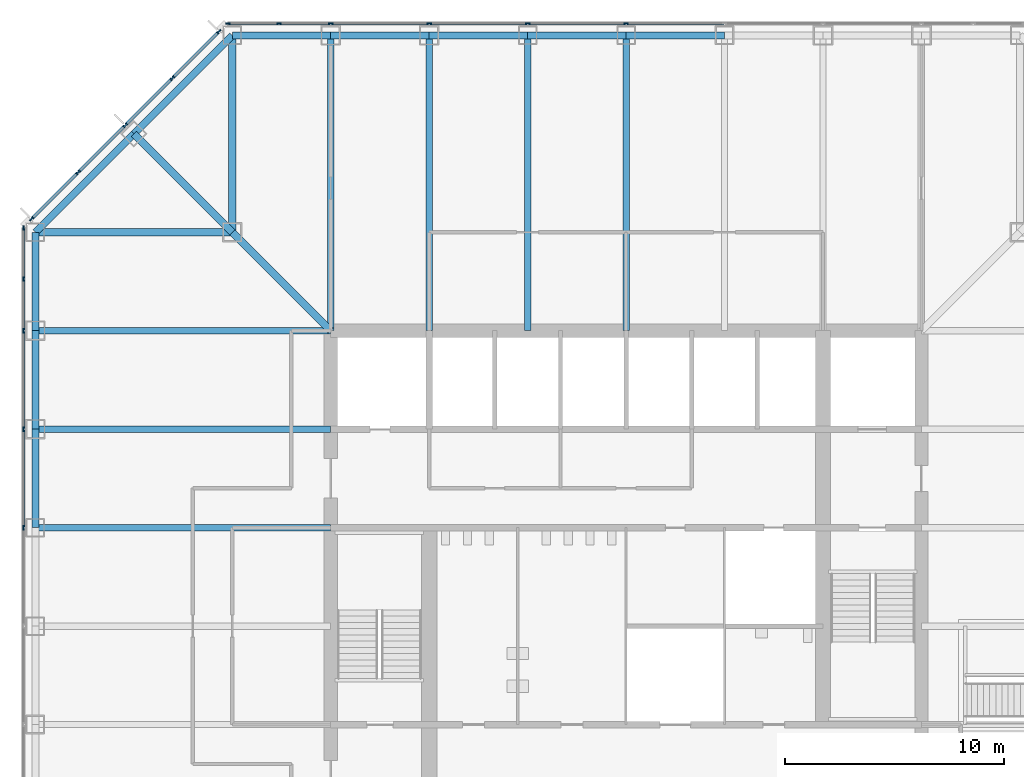
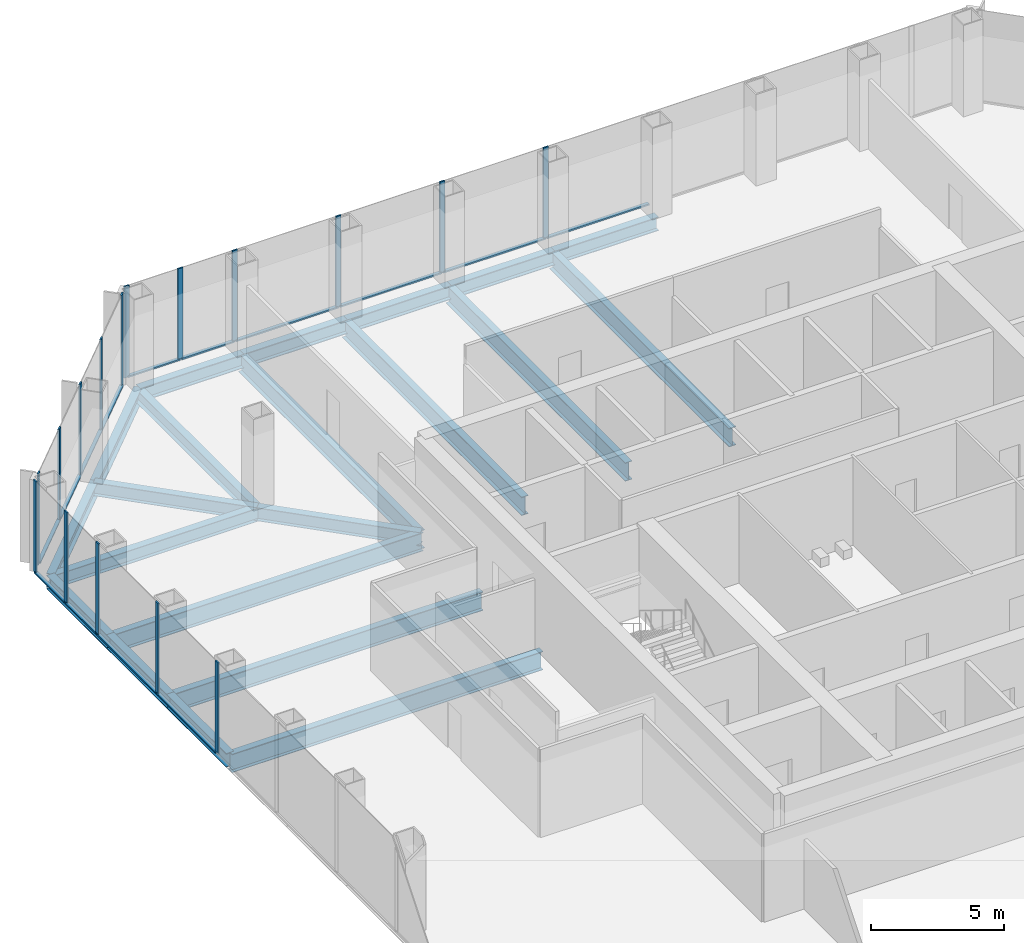
# One storey, part 5 of 12: 30 members, 21 beams, 3 elements without a shape of their own.
"""IFC4 building model written with IfcOpenShell, lengths in metres."""

import ifcopenshell
import ifcopenshell.guid

model = None  # the IFC model being written
_history = None  # IfcOwnerHistory: only IFC2X3 demands one
_inside = {}  # id of a spatial element -> (the spatial element, [elements in it])
_under = {}  # id of a project, library or spatial element -> (it, [spatial elements below it])
_declared = {}  # id of a project -> (the project, [libraries it declares])
_typed = {}  # id of a type object -> (the type object, [elements of that type])
_made_of = {}  # id of a material, layer set ... -> (it, [elements and type objects made of it])


def new_model(schema):
    """Start an empty IFC model of exactly this schema.

    Asked for "IFC4X3", IfcOpenShell would pick the latest addendum, in which some entities
    have other attributes; the version numbers below select the first issue.
    IFC2X3 requires an IfcOwnerHistory on every rooted entity: one is made here for all.
    """
    global model, _history
    if schema == "IFC4X3":
        model = ifcopenshell.file(schema_version=(4, 3, 0, 0))
    else:
        model = ifcopenshell.file(schema=schema)
    _inside.clear()
    _under.clear()
    _declared.clear()
    _typed.clear()
    _made_of.clear()
    _history = None
    if model.schema == "IFC2X3":
        org = make("IfcOrganization", Name="unknown")
        user = make(
            "IfcPersonAndOrganization",
            ThePerson=make("IfcPerson", FamilyName="unknown"),
            TheOrganization=org,
        )
        app = make(
            "IfcApplication",
            ApplicationDeveloper=org,
            Version="unknown",
            ApplicationFullName="unknown",
            ApplicationIdentifier="unknown",
        )
        _history = make(
            "IfcOwnerHistory",
            OwningUser=user,
            OwningApplication=app,
            ChangeAction="ADDED",
            CreationDate=0,
        )
    return model


def make(cls, **values):
    """One entity of the class cls with the attributes given. An attribute that is None is left unset."""
    return model.create_entity(
        cls, **{name: value for name, value in values.items() if value is not None}
    )


def rooted(cls, **values):
    """An entity with a GlobalId (a new one), such as an element, a storey or a relation."""
    return make(cls, GlobalId=ifcopenshell.guid.new(), OwnerHistory=_history, **values)


def si_unit(unit_type, name, prefix=None):
    """IfcSIUnit, for example si_unit("LENGTHUNIT", "METRE", prefix="MILLI")."""
    return make("IfcSIUnit", UnitType=unit_type, Prefix=prefix, Name=name)


def assignment(units):
    """IfcUnitAssignment: the units of a project."""
    return None if units is None else make("IfcUnitAssignment", Units=units)


def point(xyz):
    """IfcCartesianPoint."""
    return None if xyz is None else make("IfcCartesianPoint", Coordinates=xyz)


def direction(xyz):
    """IfcDirection."""
    return None if xyz is None else make("IfcDirection", DirectionRatios=xyz)


def frame(location, z_axis=None, x_axis=None):
    """IfcAxis2Placement3D, a coordinate frame: its origin and axes. An axis left out is left unset."""
    return make(
        "IfcAxis2Placement3D",
        Location=point(location),
        Axis=direction(z_axis),
        RefDirection=direction(x_axis),
    )


def frame_2d(location, x_axis=None):
    """IfcAxis2Placement2D, a coordinate frame in the plane: its origin and x axis."""
    return make(
        "IfcAxis2Placement2D", Location=point(location), RefDirection=direction(x_axis)
    )


def origin():
    """The frame at (0, 0, 0) with its axes left unset."""
    return frame((0.0, 0.0, 0.0))


def origin_2d():
    """The frame at (0, 0) in the plane with its x axis left unset."""
    return frame_2d((0.0, 0.0))


def place(relative_to, where):
    """IfcLocalPlacement: puts the frame where relative to a parent placement (None: the world)."""
    return make(
        "IfcLocalPlacement", PlacementRelTo=relative_to, RelativePlacement=where
    )


def context(
    kind, dimensions, precision=None, world=None, true_north=None, identifier=None
):
    """IfcGeometricRepresentationContext, for example the 3D "Model" context."""
    return make(
        "IfcGeometricRepresentationContext",
        ContextIdentifier=identifier,
        ContextType=kind,
        CoordinateSpaceDimension=dimensions,
        Precision=precision,
        WorldCoordinateSystem=world,
        TrueNorth=true_north,
    )


def subcontext(parent, identifier, kind, view, scale=None):
    """IfcGeometricRepresentationSubContext, for example "Body" below "Model"."""
    return make(
        "IfcGeometricRepresentationSubContext",
        ContextIdentifier=identifier,
        ContextType=kind,
        ParentContext=parent,
        TargetScale=scale,
        TargetView=view,
    )


def project(units=None, contexts=None):
    """IfcProject with its units and contexts."""
    return rooted(
        "IfcProject",
        Name="project",
        RepresentationContexts=contexts,
        UnitsInContext=assignment(units),
    )


def spatial(cls, under=None, at=None, **own):
    """A site, building, storey or space (cls), placed at a placement, below another one or the project."""
    s = rooted(cls, ObjectPlacement=at, **own)
    if under is not None:
        _under.setdefault(under.id(), (under, []))[1].append(s)
    return s


def profile(cls, at=None, kind="AREA", **sizes):
    """A parametric profile (cls). Its sizes go by their IFC names, for example OverallWidth=200.0."""
    return make(cls, ProfileType=kind, Position=at, **sizes)


def rectangle(**sizes):
    """IfcRectangleProfileDef."""
    return profile("IfcRectangleProfileDef", **sizes)


def i_section(**sizes):
    """IfcIShapeProfileDef."""
    return profile("IfcIShapeProfileDef", **sizes)


def extrude(swept, where, along, depth):
    """IfcExtrudedAreaSolid: the profile swept, set in the frame where, extruded along a direction by depth."""
    return make(
        "IfcExtrudedAreaSolid",
        SweptArea=swept,
        Position=where,
        ExtrudedDirection=direction(along),
        Depth=depth,
    )


def shape(context_of_items, identifier, shape_type, items):
    """IfcShapeRepresentation: the items that make up one representation, for example the "Body"."""
    return make(
        "IfcShapeRepresentation",
        ContextOfItems=context_of_items,
        RepresentationIdentifier=identifier,
        RepresentationType=shape_type,
        Items=items,
    )


def material(Name=None, Category=None):
    """IfcMaterial."""
    return make("IfcMaterial", Name=Name, Category=Category)


def material_profile(
    of_material, cross_section, Name=None, Category=None, Priority=None
):
    """IfcMaterialProfile: a cross section and its material."""
    return make(
        "IfcMaterialProfile",
        Name=Name,
        Material=of_material,
        Profile=cross_section,
        Priority=Priority,
        Category=Category,
    )


def profile_set(profiles, Name=None, composite=None):
    """IfcMaterialProfileSet."""
    return make(
        "IfcMaterialProfileSet",
        Name=Name,
        MaterialProfiles=profiles,
        CompositeProfile=composite,
    )


def made_of(thing, what):
    """Note that an element or type object is made of a material, layer set ...; save() writes the relation."""
    if what is not None:
        _made_of.setdefault(what.id(), (what, []))[1].append(thing)
    return thing


def type_object(cls, material=None, **own):
    """A type object (cls), such as IfcWallType, which elements share."""
    return made_of(rooted(cls, **own), material)


def element(
    cls,
    number,
    at=None,
    inside=None,
    cuts=None,
    type_object=None,
    material=None,
    context=None,
    identifier="Body",
    shape_type=None,
    held_by="IfcProductDefinitionShape",
    body=None,
    shapes=None,
    **own,
):
    """One element of the class cls, such as IfcWall. Its Tag is "e" and its number.

    at: its placement. inside: the storey or other place that contains it. cuts: it is an
    opening in that element (IfcRelVoidsElement). A single representation is given by context,
    identifier, shape_type and body (its items); several are given by shapes. held_by: the class
    of the entity that holds the representations. save() writes the other relations.
    """
    e = rooted(cls, Tag="e%d" % number, ObjectPlacement=at, **own)
    if body is not None:
        shapes = [shape(context, identifier, shape_type, body)]
    if shapes is not None:
        e.Representation = make(held_by, Representations=shapes)
    if inside is not None:
        _inside.setdefault(inside.id(), (inside, []))[1].append(e)
    if cuts is not None:
        rooted(
            "IfcRelVoidsElement", RelatingBuildingElement=cuts, RelatedOpeningElement=e
        )
    if type_object is not None:
        _typed.setdefault(type_object.id(), (type_object, []))[1].append(e)
    return made_of(e, material)


def aggregate(whole, parts):
    """IfcRelAggregates: a whole, such as a stair, and the parts it consists of."""
    return rooted("IfcRelAggregates", RelatingObject=whole, RelatedObjects=parts)


def save(model, path):
    """Write the relations noted so far, then the file.

    IfcRelAggregates (storeys below a building ...), IfcRelContainedInSpatialStructure (elements
    in a storey), IfcRelDefinesByType, IfcRelAssociatesMaterial and IfcRelDeclares: one each for
    every whole, place, type object, material and project.
    """
    for whole, parts in _under.values():
        aggregate(whole, parts)
    for where, things in _inside.values():
        rooted(
            "IfcRelContainedInSpatialStructure",
            RelatedElements=things,
            RelatingStructure=where,
        )
    for kind, things in _typed.values():
        rooted("IfcRelDefinesByType", RelatedObjects=things, RelatingType=kind)
    for what, things in _made_of.values():
        rooted("IfcRelAssociatesMaterial", RelatedObjects=things, RelatingMaterial=what)
    for by, libraries in _declared.values():
        rooted("IfcRelDeclares", RelatingContext=by, RelatedDefinitions=libraries)
    model.write(path)


model = new_model("IFC4")

# Units and contexts
model_context = context("Model", 3, precision=1e-05, world=origin(), true_north=direction((0.0, 1.0)))
body_context = subcontext(model_context, "Body", "Model", "MODEL_VIEW")
ifc_project = project(units=[si_unit("LENGTHUNIT", "METRE"), si_unit("AREAUNIT", "SQUARE_METRE"), si_unit("VOLUMEUNIT", "CUBIC_METRE"), si_unit("PLANEANGLEUNIT", "RADIAN"), si_unit("MASSUNIT", "GRAM", prefix="KILO")], contexts=[model_context])

# Site, building, storey
site_placement = place(None, origin())
site = spatial("IfcSite", under=ifc_project, at=site_placement, CompositionType="ELEMENT")
building_placement = place(site_placement, origin())
building = spatial("IfcBuilding", under=site, at=building_placement, Name="Corais Broadcast Tower", CompositionType="ELEMENT")
storey_placement = place(building_placement, frame((0.0, 0.0, 37.39990234375)))
storey = spatial("IfcBuildingStorey", under=building, at=storey_placement, Name="L07", CompositionType="ELEMENT", Elevation=37.39990234375)

# Beams
ifc_material_1 = material(Name="Steel ASTM A572 Grade 50", Category="steel")
ifc_material_profile_1 = material_profile(ifc_material_1, i_section(OverallWidth=0.323974609375, OverallDepth=0.611083984375, WebThickness=0.0126953125, FlangeThickness=0.01904296875, at=origin_2d()), Name="W610x155")
ifc_profile_set_1 = profile_set([ifc_material_profile_1], Name="Steel ASTM A572 Grade 50")
beam_type_1 = type_object("IfcBeamType", Name="Chamfer tie W610x155", PredefinedType="BEAM", material=ifc_profile_set_1)
beam_1_placement = place(storey_placement, frame((4.5, 49.5, -0.46533203125), z_axis=(0.707106781187, -0.707106781187, 0.0), x_axis=(0.707106781187, 0.707106781187, 0.0)))
element("IfcBeam", 1, at=beam_1_placement, inside=storey, type_object=beam_type_1, Name="B5 M/4 to L/5", PredefinedType="BEAM", context=body_context, shape_type="SweptSolid", body=[
    extrude(i_section(OverallWidth=0.323974609375, OverallDepth=0.611083984375, WebThickness=0.0126953125, FlangeThickness=0.01904296875, at=origin_2d()), origin(), (0.0, 0.0, 1.0), 6.364013671875),
])
ifc_material_2 = material(Name="Steel ASTM A572 Grade 50", Category="steel")
ifc_material_profile_2 = material_profile(ifc_material_2, i_section(OverallWidth=0.323974609375, OverallDepth=0.611083984375, WebThickness=0.0126953125, FlangeThickness=0.01904296875, at=origin_2d()), Name="W610x155")
ifc_profile_set_2 = profile_set([ifc_material_profile_2], Name="Steel ASTM A572 Grade 50")
beam_type_2 = type_object("IfcBeamType", Name="Corner diagonal W610x155", PredefinedType="BEAM", material=ifc_profile_set_2)
beam_2_placement = place(storey_placement, frame((9.0, 45.0, -0.46533203125), z_axis=(0.707106781187, -0.707106781187, 0.0), x_axis=(0.707106781187, 0.707106781187, 0.0)))
element("IfcBeam", 2, at=beam_2_placement, inside=storey, type_object=beam_type_2, Name="B6 L/5 to K/6", PredefinedType="BEAM", context=body_context, shape_type="SweptSolid", body=[
    extrude(i_section(OverallWidth=0.323974609375, OverallDepth=0.611083984375, WebThickness=0.0126953125, FlangeThickness=0.01904296875, at=origin_2d()), origin(), (0.0, 0.0, 1.0), 6.364013671875),
])
ifc_material_3 = material(Name="Steel ASTM A572 Grade 50", Category="steel")
ifc_material_profile_3 = material_profile(ifc_material_3, i_section(OverallWidth=0.323974609375, OverallDepth=0.611083984375, WebThickness=0.0126953125, FlangeThickness=0.01904296875, at=origin_2d()), Name="W610x155")
ifc_profile_set_3 = profile_set([ifc_material_profile_3], Name="Steel ASTM A572 Grade 50")
beam_type_3 = type_object("IfcBeamType", Name="Corner girder W610x155", PredefinedType="BEAM", material=ifc_profile_set_3)
for number, where, z_axis, x_axis, name in (
    (3, (0.0, 45.0, -0.46533203125), (1.0, 0.0, 0.0), (0.0, 1.0, 0.0), "B4 L/3 to L/5"),
    (4, (9.0, 54.0, -0.46533203125), (0.0, -1.0, 0.0), (1.0, 0.0, 0.0), "B4 N/5 to L/5"),
):
    element("IfcBeam", number, at=place(storey_placement, frame(where, z_axis=z_axis, x_axis=x_axis)), inside=storey, type_object=beam_type_3, Name=name, PredefinedType="BEAM", context=body_context, shape_type="SweptSolid", body=[
        extrude(i_section(OverallWidth=0.323974609375, OverallDepth=0.611083984375, WebThickness=0.0126953125, FlangeThickness=0.01904296875, at=origin_2d()), origin(), (0.0, 0.0, 1.0), 9.0),
    ])
ifc_material_4 = material(Name="Steel ASTM A572 Grade 50", Category="steel")
ifc_material_profile_4 = material_profile(ifc_material_4, i_section(OverallWidth=0.2939453125, OverallDepth=0.85107421875, WebThickness=0.01611328125, FlangeThickness=0.02685546875, at=origin_2d()), Name="W840x226")
ifc_profile_set_4 = profile_set([ifc_material_profile_4], Name="Steel ASTM A572 Grade 50")
beam_type_4 = type_object("IfcBeamType", Name="Floor beam W840x226", PredefinedType="BEAM", material=ifc_profile_set_4)
for number, where, z_axis, x_axis, name in (
    (5, (0.0, 31.5, -0.58544921875), (1.0, 0.0, 0.0), (0.0, 1.0, 0.0), "B1 H/3 to H/6"),
    (6, (0.0, 36.0, -0.58544921875), (1.0, 0.0, 0.0), (0.0, 1.0, 0.0), "B1 J/3 to J/6"),
    (7, (0.0, 40.5, -0.58544921875), (1.0, 0.0, 0.0), (0.0, 1.0, 0.0), "B1 K/3 to K/6"),
    (8, (13.5, 54.0, -0.58544921875), (0.0, -1.0, 0.0), (1.0, 0.0, 0.0), "B1 N/6 to K/6"),
    (9, (18.0, 54.0, -0.58544921875), (0.0, -1.0, 0.0), (1.0, 0.0, 0.0), "B1 N/7 to K/7"),
    (10, (22.5, 54.0, -0.58544921875), (0.0, -1.0, 0.0), (1.0, 0.0, 0.0), "B1 N/8 to K/8"),
    (11, (27.0, 54.0, -0.58544921875), (0.0, -1.0, 0.0), (1.0, 0.0, 0.0), "B1 N/9 to K/9"),
):
    element("IfcBeam", number, at=place(storey_placement, frame(where, z_axis=z_axis, x_axis=x_axis)), inside=storey, type_object=beam_type_4, Name=name, PredefinedType="BEAM", context=body_context, shape_type="SweptSolid", body=[
        extrude(i_section(OverallWidth=0.2939453125, OverallDepth=0.85107421875, WebThickness=0.01611328125, FlangeThickness=0.02685546875, at=origin_2d()), origin(), (0.0, 0.0, 1.0), 13.5),
    ])

# Curtain wall, members
ifc_material_5 = material(Name="Aluminium and glass", Category="aluminium")
curtain_wall_type = type_object("IfcCurtainWallType", Name="Newsroom clear-glass curtain wall CW7", PredefinedType="NOTDEFINED", material=ifc_material_5)
curtain_wall_1_placement = place(storey_placement, origin())
curtain_wall_1 = element("IfcCurtainWall", 12, at=curtain_wall_1_placement, inside=storey, type_object=curtain_wall_type, Name="CW7 curtain wall L07 2", PredefinedType="NOTDEFINED")
ifc_material_6 = material(Name="Aluminium 6063-T6", Category="aluminium")
ifc_material_profile_5 = material_profile(ifc_material_6, rectangle(XDim=0.06494140625, YDim=0.219970703125, at=origin_2d()), Name="Mullion CW7 65x220")
ifc_profile_set_5 = profile_set([ifc_material_profile_5], Name="Aluminium 6063-T6")
member_type_1 = type_object("IfcMemberType", Name="Mullion CW7 65x220", PredefinedType="MULLION", material=ifc_profile_set_5)
member_1_placement = place(storey_placement, frame((-0.550048828125, 31.5, 0.0), z_axis=(0.0, 0.0, 1.0), x_axis=(-1.0, 0.0, 0.0)))
member_1 = element("IfcMember", 13, at=member_1_placement, type_object=member_type_1, Name="CW7 mullion 7", PredefinedType="MULLION", context=body_context, shape_type="SweptSolid", body=[
    extrude(rectangle(XDim=0.06494140625, YDim=0.219970703125, at=origin_2d()), origin(), (0.0, 0.0, 1.0), 4.2001953125),
])
member_2_placement = place(storey_placement, frame((-0.550048828125, 36.0, 0.0), z_axis=(0.0, 0.0, 1.0), x_axis=(-1.0, 0.0, 0.0)))
member_2 = element("IfcMember", 14, at=member_2_placement, type_object=member_type_1, Name="CW7 mullion 8", PredefinedType="MULLION", context=body_context, shape_type="SweptSolid", body=[
    extrude(rectangle(XDim=0.06494140625, YDim=0.219970703125, at=origin_2d()), origin(), (0.0, 0.0, 1.0), 4.2001953125),
])
member_3_placement = place(storey_placement, frame((-0.550048828125, 40.5, 0.0), z_axis=(0.0, 0.0, 1.0), x_axis=(-1.0, 0.0, 0.0)))
member_3 = element("IfcMember", 15, at=member_3_placement, type_object=member_type_1, Name="CW7 mullion 9", PredefinedType="MULLION", context=body_context, shape_type="SweptSolid", body=[
    extrude(rectangle(XDim=0.06494140625, YDim=0.219970703125, at=origin_2d()), origin(), (0.0, 0.0, 1.0), 4.2001953125),
])
member_4_placement = place(storey_placement, frame((-0.550048828125, 42.864013671875, 0.0), z_axis=(0.0, 0.0, 1.0), x_axis=(-1.0, 0.0, 0.0)))
member_4 = element("IfcMember", 16, at=member_4_placement, type_object=member_type_1, Name="CW7 mullion 10", PredefinedType="MULLION", context=body_context, shape_type="SweptSolid", body=[
    extrude(rectangle(XDim=0.06494140625, YDim=0.219970703125, at=origin_2d()), origin(), (0.0, 0.0, 1.0), 4.2001953125),
])
member_5_placement = place(storey_placement, frame((-0.550048828125, 45.1953125, 0.0), z_axis=(0.0, 0.0, 1.0), x_axis=(-1.0, 0.0, 0.0)))
member_5 = element("IfcMember", 17, at=member_5_placement, type_object=member_type_1, Name="CW7 mullion 11", PredefinedType="MULLION", context=body_context, shape_type="SweptSolid", body=[
    extrude(rectangle(XDim=0.06494140625, YDim=0.219970703125, at=origin_2d()), origin(), (0.0, 0.0, 1.0), 4.2001953125),
])

curtain_wall_2_placement = place(storey_placement, origin())
curtain_wall_2 = element("IfcCurtainWall", 18, at=curtain_wall_2_placement, inside=storey, type_object=curtain_wall_type, Name="CW7 curtain wall L07 3", PredefinedType="NOTDEFINED")
member_6_placement = place(storey_placement, frame((-0.17333984375, 45.6044921875, 0.0), z_axis=(0.0, 0.0, 1.0), x_axis=(-0.707106781187, 0.707106781187, 0.0)))
member_6 = element("IfcMember", 19, at=member_6_placement, type_object=member_type_1, Name="CW7 mullion 1", PredefinedType="MULLION", context=body_context, shape_type="SweptSolid", body=[
    extrude(rectangle(XDim=0.06494140625, YDim=0.219970703125, at=origin_2d()), origin(), (0.0, 0.0, 1.0), 4.2001953125),
])
member_7_placement = place(storey_placement, frame((1.957275390625, 47.735107421875, 0.0), z_axis=(0.0, 0.0, 1.0), x_axis=(-0.707106781187, 0.707106781187, 0.0)))
member_7 = element("IfcMember", 20, at=member_7_placement, type_object=member_type_1, Name="CW7 mullion 2", PredefinedType="MULLION", context=body_context, shape_type="SweptSolid", body=[
    extrude(rectangle(XDim=0.06494140625, YDim=0.219970703125, at=origin_2d()), origin(), (0.0, 0.0, 1.0), 4.2001953125),
])
member_8_placement = place(storey_placement, frame((4.111083984375, 49.888916015625, 0.0), z_axis=(0.0, 0.0, 1.0), x_axis=(-0.707106781187, 0.707106781187, 0.0)))
member_8 = element("IfcMember", 21, at=member_8_placement, type_object=member_type_1, Name="CW7 mullion 3", PredefinedType="MULLION", context=body_context, shape_type="SweptSolid", body=[
    extrude(rectangle(XDim=0.06494140625, YDim=0.219970703125, at=origin_2d()), origin(), (0.0, 0.0, 1.0), 4.2001953125),
])
member_9_placement = place(storey_placement, frame((6.264892578125, 52.042724609375, 0.0), z_axis=(0.0, 0.0, 1.0), x_axis=(-0.707106781187, 0.707106781187, 0.0)))
member_9 = element("IfcMember", 22, at=member_9_placement, type_object=member_type_1, Name="CW7 mullion 4", PredefinedType="MULLION", context=body_context, shape_type="SweptSolid", body=[
    extrude(rectangle(XDim=0.06494140625, YDim=0.219970703125, at=origin_2d()), origin(), (0.0, 0.0, 1.0), 4.2001953125),
])
member_10_placement = place(storey_placement, frame((8.3955078125, 54.17333984375, 0.0), z_axis=(0.0, 0.0, 1.0), x_axis=(-0.707106781187, 0.707106781187, 0.0)))
member_10 = element("IfcMember", 23, at=member_10_placement, type_object=member_type_1, Name="CW7 mullion 5", PredefinedType="MULLION", context=body_context, shape_type="SweptSolid", body=[
    extrude(rectangle(XDim=0.06494140625, YDim=0.219970703125, at=origin_2d()), origin(), (0.0, 0.0, 1.0), 4.2001953125),
])

curtain_wall_3_placement = place(storey_placement, origin())
curtain_wall_3 = element("IfcCurtainWall", 24, at=curtain_wall_3_placement, inside=storey, type_object=curtain_wall_type, Name="CW7 curtain wall L07 4", PredefinedType="NOTDEFINED")
member_11_placement = place(storey_placement, frame((8.8046875, 54.550048828125, 0.0), z_axis=(0.0, 0.0, 1.0), x_axis=(0.0, 1.0, 0.0)))
member_11 = element("IfcMember", 25, at=member_11_placement, type_object=member_type_1, Name="CW7 mullion 1", PredefinedType="MULLION", context=body_context, shape_type="SweptSolid", body=[
    extrude(rectangle(XDim=0.06494140625, YDim=0.219970703125, at=origin_2d()), origin(), (0.0, 0.0, 1.0), 4.2001953125),
])
member_12_placement = place(storey_placement, frame((11.135986328125, 54.550048828125, 0.0), z_axis=(0.0, 0.0, 1.0), x_axis=(0.0, 1.0, 0.0)))
member_12 = element("IfcMember", 26, at=member_12_placement, type_object=member_type_1, Name="CW7 mullion 2", PredefinedType="MULLION", context=body_context, shape_type="SweptSolid", body=[
    extrude(rectangle(XDim=0.06494140625, YDim=0.219970703125, at=origin_2d()), origin(), (0.0, 0.0, 1.0), 4.2001953125),
])
member_13_placement = place(storey_placement, frame((13.5, 54.550048828125, 0.0), z_axis=(0.0, 0.0, 1.0), x_axis=(0.0, 1.0, 0.0)))
member_13 = element("IfcMember", 27, at=member_13_placement, type_object=member_type_1, Name="CW7 mullion 3", PredefinedType="MULLION", context=body_context, shape_type="SweptSolid", body=[
    extrude(rectangle(XDim=0.06494140625, YDim=0.219970703125, at=origin_2d()), origin(), (0.0, 0.0, 1.0), 4.2001953125),
])
member_14_placement = place(storey_placement, frame((18.0, 54.550048828125, 0.0), z_axis=(0.0, 0.0, 1.0), x_axis=(0.0, 1.0, 0.0)))
member_14 = element("IfcMember", 28, at=member_14_placement, type_object=member_type_1, Name="CW7 mullion 4", PredefinedType="MULLION", context=body_context, shape_type="SweptSolid", body=[
    extrude(rectangle(XDim=0.06494140625, YDim=0.219970703125, at=origin_2d()), origin(), (0.0, 0.0, 1.0), 4.2001953125),
])
member_15_placement = place(storey_placement, frame((22.5, 54.550048828125, 0.0), z_axis=(0.0, 0.0, 1.0), x_axis=(0.0, 1.0, 0.0)))
member_15 = element("IfcMember", 29, at=member_15_placement, type_object=member_type_1, Name="CW7 mullion 5", PredefinedType="MULLION", context=body_context, shape_type="SweptSolid", body=[
    extrude(rectangle(XDim=0.06494140625, YDim=0.219970703125, at=origin_2d()), origin(), (0.0, 0.0, 1.0), 4.2001953125),
])
member_16_placement = place(storey_placement, frame((27.0, 54.550048828125, 0.0), z_axis=(0.0, 0.0, 1.0), x_axis=(0.0, 1.0, 0.0)))
member_16 = element("IfcMember", 30, at=member_16_placement, type_object=member_type_1, Name="CW7 mullion 6", PredefinedType="MULLION", context=body_context, shape_type="SweptSolid", body=[
    extrude(rectangle(XDim=0.06494140625, YDim=0.219970703125, at=origin_2d()), origin(), (0.0, 0.0, 1.0), 4.2001953125),
])

# Beams
ifc_material_7 = material(Name="Steel ASTM A572 Grade 50", Category="steel")
ifc_material_profile_6 = material_profile(ifc_material_7, i_section(OverallWidth=0.3291015625, OverallDepth=0.635009765625, WebThickness=0.017822265625, FlangeThickness=0.031005859375, at=origin_2d()), Name="W610x241")
ifc_profile_set_6 = profile_set([ifc_material_profile_6], Name="Steel ASTM A572 Grade 50")
beam_type_5 = type_object("IfcBeamType", Name="Spandrel W610x241", PredefinedType="BEAM", material=ifc_profile_set_6)
for number, where, z_axis, x_axis, name in (
    (31, (0.0, 36.0, -0.477294921875), (0.0, -1.0, 0.0), (1.0, 0.0, 0.0), "SB1 J/3 to H/3"),
    (32, (0.0, 40.5, -0.477294921875), (0.0, -1.0, 0.0), (1.0, 0.0, 0.0), "SB1 K/3 to J/3"),
    (33, (0.0, 45.0, -0.477294921875), (0.0, -1.0, 0.0), (1.0, 0.0, 0.0), "SB1 L/3 to K/3"),
    (34, (13.5, 54.0, -0.477294921875), (-1.0, 0.0, 0.0), (0.0, -1.0, 0.0), "SB1 N/6 to N/5"),
    (35, (18.0, 54.0, -0.477294921875), (-1.0, 0.0, 0.0), (0.0, -1.0, 0.0), "SB1 N/7 to N/6"),
    (36, (22.5, 54.0, -0.477294921875), (-1.0, 0.0, 0.0), (0.0, -1.0, 0.0), "SB1 N/8 to N/7"),
    (37, (27.0, 54.0, -0.477294921875), (-1.0, 0.0, 0.0), (0.0, -1.0, 0.0), "SB1 N/9 to N/8"),
    (38, (31.5, 54.0, -0.477294921875), (-1.0, 0.0, 0.0), (0.0, -1.0, 0.0), "SB1 N/10 to N/9"),
):
    element("IfcBeam", number, at=place(storey_placement, frame(where, z_axis=z_axis, x_axis=x_axis)), inside=storey, type_object=beam_type_5, Name=name, PredefinedType="BEAM", context=body_context, shape_type="SweptSolid", body=[
        extrude(i_section(OverallWidth=0.3291015625, OverallDepth=0.635009765625, WebThickness=0.017822265625, FlangeThickness=0.031005859375, at=origin_2d()), origin(), (0.0, 0.0, 1.0), 4.5),
    ])
for number, where, z_axis, x_axis, name in (
    (39, (4.5, 49.5, -0.477294921875), (-0.707106781187, -0.707106781187, 0.0), (0.707106781187, -0.707106781187, 0.0), "SB1 M/4 to L/3"),
    (40, (9.0, 54.0, -0.477294921875), (-0.707106781187, -0.707106781187, 0.0), (0.707106781187, -0.707106781187, 0.0), "SB1 N/5 to M/4"),
):
    element("IfcBeam", number, at=place(storey_placement, frame(where, z_axis=z_axis, x_axis=x_axis)), inside=storey, type_object=beam_type_5, Name=name, PredefinedType="BEAM", context=body_context, shape_type="SweptSolid", body=[
        extrude(i_section(OverallWidth=0.3291015625, OverallDepth=0.635009765625, WebThickness=0.017822265625, FlangeThickness=0.031005859375, at=origin_2d()), origin(), (0.0, 0.0, 1.0), 6.364013671875),
    ])

# Member
ifc_material_8 = material(Name="Aluminium 6063-T6", Category="aluminium")
ifc_material_profile_7 = material_profile(ifc_material_8, rectangle(XDim=0.14990234375, YDim=0.06494140625, at=origin_2d()), Name="Transom CW7 65x150")
ifc_profile_set_7 = profile_set([ifc_material_profile_7], Name="Aluminium 6063-T6")
member_type_2 = type_object("IfcMemberType", Name="Transom CW7 65x150", PredefinedType="USERDEFINED", material=ifc_profile_set_7)
member_17_placement = place(storey_placement, frame((-0.550048828125, 31.532470703125, 0.03271484375), z_axis=(0.0, 1.0, 0.0), x_axis=(-1.0, 0.0, 0.0)))
member_17 = element("IfcMember", 41, at=member_17_placement, type_object=member_type_2, Name="CW7 transom 7.1", ObjectType="TRANSOM", PredefinedType="USERDEFINED", context=body_context, shape_type="SweptSolid", body=[
    extrude(rectangle(XDim=0.14990234375, YDim=0.06494140625, at=origin_2d()), origin(), (0.0, 0.0, 1.0), 4.43505859375),
])

member_18_placement = place(storey_placement, frame((-0.550048828125, 36.032470703125, 0.03271484375), z_axis=(0.0, 1.0, 0.0), x_axis=(-1.0, 0.0, 0.0)))
member_18 = element("IfcMember", 42, at=member_18_placement, type_object=member_type_2, Name="CW7 transom 8.1", ObjectType="TRANSOM", PredefinedType="USERDEFINED", context=body_context, shape_type="SweptSolid", body=[
    extrude(rectangle(XDim=0.14990234375, YDim=0.06494140625, at=origin_2d()), origin(), (0.0, 0.0, 1.0), 4.43505859375),
])

member_19_placement = place(storey_placement, frame((-0.550048828125, 40.532470703125, 0.03271484375), z_axis=(0.0, 1.0, 0.0), x_axis=(-1.0, 0.0, 0.0)))
member_19 = element("IfcMember", 43, at=member_19_placement, type_object=member_type_2, Name="CW7 transom 9.1", ObjectType="TRANSOM", PredefinedType="USERDEFINED", context=body_context, shape_type="SweptSolid", body=[
    extrude(rectangle(XDim=0.14990234375, YDim=0.06494140625, at=origin_2d()), origin(), (0.0, 0.0, 1.0), 2.298828125),
])

member_20_placement = place(storey_placement, frame((-0.550048828125, 42.896484375, 0.03271484375), z_axis=(0.0, 1.0, 0.0), x_axis=(-1.0, 0.0, 0.0)))
member_20 = element("IfcMember", 44, at=member_20_placement, type_object=member_type_2, Name="CW7 transom 10.1", ObjectType="TRANSOM", PredefinedType="USERDEFINED", context=body_context, shape_type="SweptSolid", body=[
    extrude(rectangle(XDim=0.14990234375, YDim=0.06494140625, at=origin_2d()), origin(), (0.0, 0.0, 1.0), 2.266357421875),
])

aggregate(curtain_wall_1, [member_1, member_2, member_3, member_4, member_5, member_17, member_18, member_19, member_20])

member_21_placement = place(storey_placement, frame((-0.150390625, 45.62744140625, 0.03271484375), z_axis=(0.707106781187, 0.707106781187, 0.0), x_axis=(-0.707106781187, 0.707106781187, 0.0)))
member_21 = element("IfcMember", 45, at=member_21_placement, type_object=member_type_2, Name="CW7 transom 1.1", ObjectType="TRANSOM", PredefinedType="USERDEFINED", context=body_context, shape_type="SweptSolid", body=[
    extrude(rectangle(XDim=0.14990234375, YDim=0.06494140625, at=origin_2d()), origin(), (0.0, 0.0, 1.0), 2.9482421875),
])

member_22_placement = place(storey_placement, frame((1.980224609375, 47.758056640625, 0.03271484375), z_axis=(0.707106781187, 0.707106781187, 0.0), x_axis=(-0.707106781187, 0.707106781187, 0.0)))
member_22 = element("IfcMember", 46, at=member_22_placement, type_object=member_type_2, Name="CW7 transom 2.1", ObjectType="TRANSOM", PredefinedType="USERDEFINED", context=body_context, shape_type="SweptSolid", body=[
    extrude(rectangle(XDim=0.14990234375, YDim=0.06494140625, at=origin_2d()), origin(), (0.0, 0.0, 1.0), 2.98095703125),
])

member_23_placement = place(storey_placement, frame((4.134033203125, 49.911865234375, 0.03271484375), z_axis=(0.707106781187, 0.707106781187, 0.0), x_axis=(-0.707106781187, 0.707106781187, 0.0)))
member_23 = element("IfcMember", 47, at=member_23_placement, type_object=member_type_2, Name="CW7 transom 3.1", ObjectType="TRANSOM", PredefinedType="USERDEFINED", context=body_context, shape_type="SweptSolid", body=[
    extrude(rectangle(XDim=0.14990234375, YDim=0.06494140625, at=origin_2d()), origin(), (0.0, 0.0, 1.0), 2.98095703125),
])

member_24_placement = place(storey_placement, frame((6.287841796875, 52.065673828125, 0.03271484375), z_axis=(0.707106781187, 0.707106781187, 0.0), x_axis=(-0.707106781187, 0.707106781187, 0.0)))
member_24 = element("IfcMember", 48, at=member_24_placement, type_object=member_type_2, Name="CW7 transom 4.1", ObjectType="TRANSOM", PredefinedType="USERDEFINED", context=body_context, shape_type="SweptSolid", body=[
    extrude(rectangle(XDim=0.14990234375, YDim=0.06494140625, at=origin_2d()), origin(), (0.0, 0.0, 1.0), 2.9482421875),
])

aggregate(curtain_wall_2, [member_6, member_7, member_8, member_9, member_10, member_21, member_22, member_23, member_24])

member_25_placement = place(storey_placement, frame((8.837158203125, 54.550048828125, 0.03271484375), z_axis=(1.0, 0.0, 0.0), x_axis=(0.0, 1.0, 0.0)))
member_25 = element("IfcMember", 49, at=member_25_placement, type_object=member_type_2, Name="CW7 transom 1.1", ObjectType="TRANSOM", PredefinedType="USERDEFINED", context=body_context, shape_type="SweptSolid", body=[
    extrude(rectangle(XDim=0.14990234375, YDim=0.06494140625, at=origin_2d()), origin(), (0.0, 0.0, 1.0), 2.266357421875),
])

member_26_placement = place(storey_placement, frame((11.168701171875, 54.550048828125, 0.03271484375), z_axis=(1.0, 0.0, 0.0), x_axis=(0.0, 1.0, 0.0)))
member_26 = element("IfcMember", 50, at=member_26_placement, type_object=member_type_2, Name="CW7 transom 2.1", ObjectType="TRANSOM", PredefinedType="USERDEFINED", context=body_context, shape_type="SweptSolid", body=[
    extrude(rectangle(XDim=0.14990234375, YDim=0.06494140625, at=origin_2d()), origin(), (0.0, 0.0, 1.0), 2.298828125),
])

member_27_placement = place(storey_placement, frame((13.532470703125, 54.550048828125, 0.03271484375), z_axis=(1.0, 0.0, 0.0), x_axis=(0.0, 1.0, 0.0)))
member_27 = element("IfcMember", 51, at=member_27_placement, type_object=member_type_2, Name="CW7 transom 3.1", ObjectType="TRANSOM", PredefinedType="USERDEFINED", context=body_context, shape_type="SweptSolid", body=[
    extrude(rectangle(XDim=0.14990234375, YDim=0.06494140625, at=origin_2d()), origin(), (0.0, 0.0, 1.0), 4.43505859375),
])

member_28_placement = place(storey_placement, frame((18.032470703125, 54.550048828125, 0.03271484375), z_axis=(1.0, 0.0, 0.0), x_axis=(0.0, 1.0, 0.0)))
member_28 = element("IfcMember", 52, at=member_28_placement, type_object=member_type_2, Name="CW7 transom 4.1", ObjectType="TRANSOM", PredefinedType="USERDEFINED", context=body_context, shape_type="SweptSolid", body=[
    extrude(rectangle(XDim=0.14990234375, YDim=0.06494140625, at=origin_2d()), origin(), (0.0, 0.0, 1.0), 4.43505859375),
])

member_29_placement = place(storey_placement, frame((22.532470703125, 54.550048828125, 0.03271484375), z_axis=(1.0, 0.0, 0.0), x_axis=(0.0, 1.0, 0.0)))
member_29 = element("IfcMember", 53, at=member_29_placement, type_object=member_type_2, Name="CW7 transom 5.1", ObjectType="TRANSOM", PredefinedType="USERDEFINED", context=body_context, shape_type="SweptSolid", body=[
    extrude(rectangle(XDim=0.14990234375, YDim=0.06494140625, at=origin_2d()), origin(), (0.0, 0.0, 1.0), 4.43505859375),
])

member_30_placement = place(storey_placement, frame((27.032470703125, 54.550048828125, 0.03271484375), z_axis=(1.0, 0.0, 0.0), x_axis=(0.0, 1.0, 0.0)))
member_30 = element("IfcMember", 54, at=member_30_placement, type_object=member_type_2, Name="CW7 transom 6.1", ObjectType="TRANSOM", PredefinedType="USERDEFINED", context=body_context, shape_type="SweptSolid", body=[
    extrude(rectangle(XDim=0.14990234375, YDim=0.06494140625, at=origin_2d()), origin(), (0.0, 0.0, 1.0), 4.43505859375),
])

aggregate(curtain_wall_3, [member_11, member_12, member_13, member_14, member_15, member_16, member_25, member_26, member_27, member_28, member_29, member_30])

save(model, "model.ifc")
